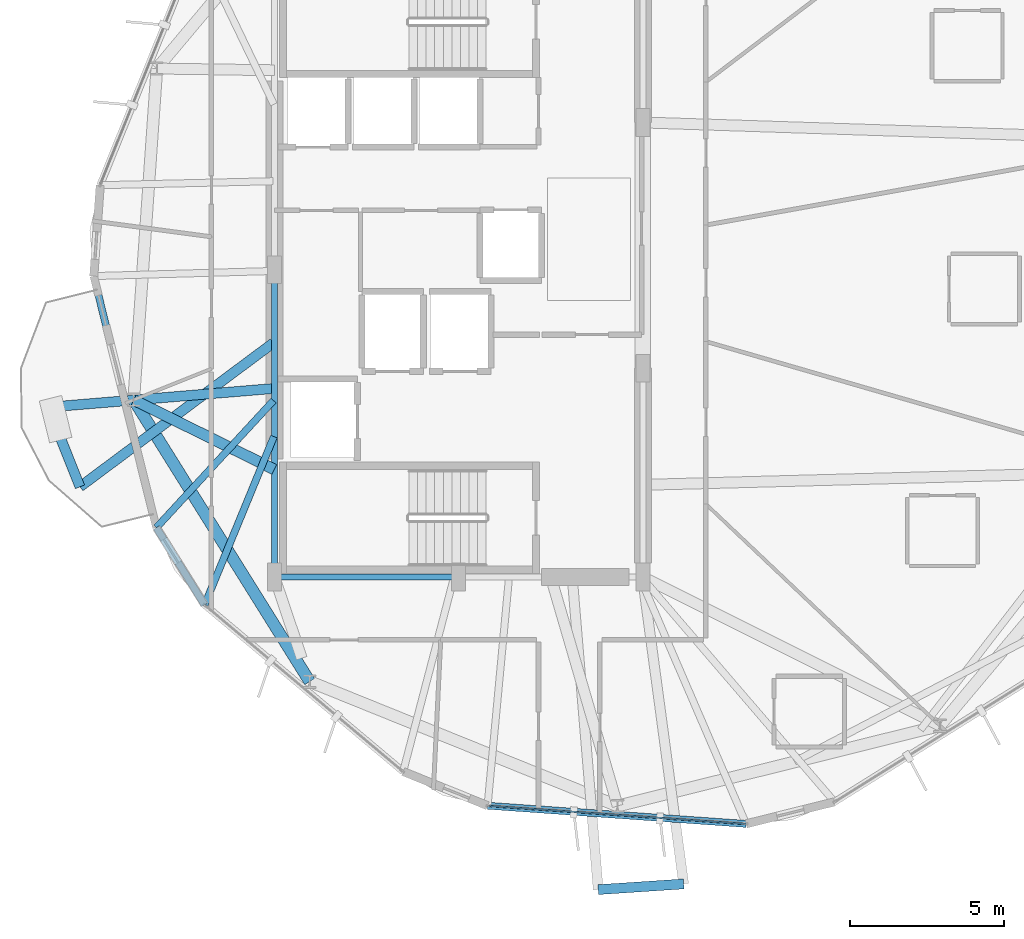
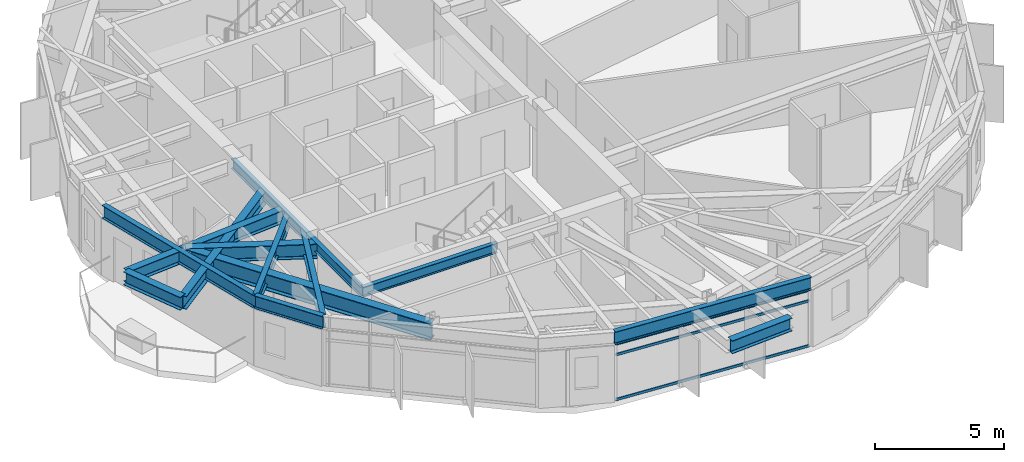
# One storey, part 3 of 22: 13 beams, 3 members, 1 element without a shape of its own.
"""IFC4 building model written with IfcOpenShell, lengths in metres."""

from ifc_helpers import new_model, si_unit, direction, frame, origin, origin_2d, place, context, subcontext, project, spatial, hollow_rectangle, i_section, extrude, material, layer, layer_set, material_profile, profile_set, type_object, element, aggregate, save


model = new_model("IFC4")

# Units and contexts
model_context = context("Model", 3, precision=1e-05, world=origin(), true_north=direction((0.0, 1.0)))
body_context = subcontext(model_context, "Body", "Model", "MODEL_VIEW")
ifc_project = project(units=[si_unit("LENGTHUNIT", "METRE"), si_unit("AREAUNIT", "SQUARE_METRE"), si_unit("VOLUMEUNIT", "CUBIC_METRE"), si_unit("PLANEANGLEUNIT", "RADIAN"), si_unit("MASSUNIT", "GRAM", prefix="KILO")], contexts=[model_context])

# Site, building, storey
site_placement = place(None, origin())
site = spatial("IfcSite", under=ifc_project, at=site_placement, CompositionType="ELEMENT")
building_placement = place(site_placement, origin())
building = spatial("IfcBuilding", under=site, at=building_placement, Name="Soratama Intermodal Tower", CompositionType="ELEMENT")
storey_placement = place(building_placement, frame((0.0, 0.0, 157.0)))
storey = spatial("IfcBuildingStorey", under=building, at=storey_placement, Name="L38", CompositionType="ELEMENT", Elevation=157.0)

# Beams
ifc_material_1 = material(Name="Structural steel ASTM A992 Grade 50", Category="steel")
ifc_material_profile_1 = material_profile(ifc_material_1, i_section(OverallWidth=0.324951171875, OverallDepth=0.615966796875, WebThickness=0.013916015625, FlangeThickness=0.021484375, FilletRadius=0.013916015625, at=origin_2d()), Name="W24X117")
ifc_profile_set_1 = profile_set([ifc_material_profile_1], Name="Structural steel ASTM A992 Grade 50")
beam_type_1 = type_object("IfcBeamType", Name="BM-CANT-W24X117", PredefinedType="BEAM", material=ifc_profile_set_1)
beam_1_placement = place(storey_placement, frame((25.235107421875, 20.529052734375, 2.991943359375), z_axis=(0.371104143002, -0.928591252946, 0.0), x_axis=(0.928591252946, 0.371104143002, 0.0)))
element("IfcBeam", 1, at=beam_1_placement, inside=storey, type_object=beam_type_1, Name="BM-L38-CBHDR-2", PredefinedType="BEAM", context=body_context, shape_type="SweptSolid", body=[
    extrude(i_section(OverallWidth=0.324951171875, OverallDepth=0.615966796875, WebThickness=0.013916015625, FlangeThickness=0.021484375, FilletRadius=0.013916015625, at=origin_2d()), origin(), (0.0, 0.0, 1.0), 2.791259765625),
])
beam_2_placement = place(storey_placement, frame((43.14501953125, 4.820068359375, 2.991943359375), z_axis=(0.997803703752, 0.066240235354, 0.0), x_axis=(-0.066240235354, 0.997803703752, 0.0)))
element("IfcBeam", 2, at=beam_2_placement, inside=storey, type_object=beam_type_1, Name="BM-L38-CBHDR-3", PredefinedType="BEAM", context=body_context, shape_type="SweptSolid", body=[
    extrude(i_section(OverallWidth=0.324951171875, OverallDepth=0.615966796875, WebThickness=0.013916015625, FlangeThickness=0.021484375, FilletRadius=0.013916015625, at=origin_2d()), origin(), (0.0, 0.0, 1.0), 2.7900390625),
])
beam_3_placement = place(storey_placement, frame((32.56005859375, 21.136962890625, 2.991943359375), z_axis=(-0.996573877054, -0.082707361059, 0.0), x_axis=(0.082707361059, -0.996573877054, 0.0)))
element("IfcBeam", 3, at=beam_3_placement, inside=storey, type_object=beam_type_1, Name="BM-L38-CANT-2-1", PredefinedType="BEAM", context=body_context, shape_type="SweptSolid", body=[
    extrude(i_section(OverallWidth=0.324951171875, OverallDepth=0.615966796875, WebThickness=0.013916015625, FlangeThickness=0.021484375, FilletRadius=0.013916015625, at=origin_2d()), origin(), (0.0, 0.0, 1.0), 7.35009765625),
])
beam_4_placement = place(storey_placement, frame((32.568115234375, 22.6240234375, 2.991943359375), z_axis=(-0.802185414471, -0.597075004343, 0.0), x_axis=(0.597075004343, -0.802185414471, 0.0)))
element("IfcBeam", 4, at=beam_4_placement, inside=storey, type_object=beam_type_1, Name="BM-L38-CANT-2-2", PredefinedType="BEAM", context=body_context, shape_type="SweptSolid", body=[
    extrude(i_section(OverallWidth=0.324951171875, OverallDepth=0.615966796875, WebThickness=0.013916015625, FlangeThickness=0.021484375, FilletRadius=0.013916015625, at=origin_2d()), origin(), (0.0, 0.0, 1.0), 7.849853515625),
])
ifc_material_2 = material(Name="Structural steel ASTM A992 Grade 50", Category="steel")
ifc_material_profile_2 = material_profile(ifc_material_2, i_section(OverallWidth=0.19091796875, OverallDepth=0.4599609375, WebThickness=0.010009765625, FlangeThickness=0.01611328125, FilletRadius=0.010986328125, at=origin_2d()), Name="W18X55")
ifc_profile_set_2 = profile_set([ifc_material_profile_2], Name="Structural steel ASTM A992 Grade 50")
beam_type_2 = type_object("IfcBeamType", Name="BM-FLR-W18X55", PredefinedType="BEAM", material=ifc_profile_set_2)
beam_5_placement = place(storey_placement, frame((32.60009765625, 15.0, 3.070068359375), z_axis=(1.0, 0.0, 0.0), x_axis=(0.0, 1.0, 0.0)))
element("IfcBeam", 5, at=beam_5_placement, inside=storey, type_object=beam_type_2, Name="BM-L38-CRING-01", PredefinedType="BEAM", context=body_context, shape_type="SweptSolid", body=[
    extrude(i_section(OverallWidth=0.19091796875, OverallDepth=0.4599609375, WebThickness=0.010009765625, FlangeThickness=0.01611328125, FilletRadius=0.010986328125, at=origin_2d()), origin(), (0.0, 0.0, 1.0), 6.0),
])
beam_6_placement = place(storey_placement, frame((32.60009765625, 25.0, 3.070068359375), z_axis=(0.0, -1.0, 0.0), x_axis=(1.0, 0.0, 0.0)))
element("IfcBeam", 6, at=beam_6_placement, inside=storey, type_object=beam_type_2, Name="BM-L38-CRING-09", PredefinedType="BEAM", context=body_context, shape_type="SweptSolid", body=[
    extrude(i_section(OverallWidth=0.19091796875, OverallDepth=0.4599609375, WebThickness=0.010009765625, FlangeThickness=0.01611328125, FilletRadius=0.010986328125, at=origin_2d()), origin(), (0.0, 0.0, 1.0), 10.0),
])
ifc_material_3 = material(Name="Structural steel ASTM A992 Grade 50", Category="steel")
ifc_material_profile_3 = material_profile(ifc_material_3, i_section(OverallWidth=0.35498046875, OverallDepth=0.695068359375, WebThickness=0.015380859375, FlangeThickness=0.02490234375, FilletRadius=0.01611328125, at=origin_2d()), Name="W27X146")
ifc_profile_set_3 = profile_set([ifc_material_profile_3], Name="Structural steel ASTM A992 Grade 50")
beam_type_3 = type_object("IfcBeamType", Name="BM-RING-W27X146", PredefinedType="BEAM", material=ifc_profile_set_3)
beam_7_placement = place(storey_placement, frame((32.60009765625, 18.5, 2.952392578125), z_axis=(-0.89629219718, 0.443463975172, 0.0), x_axis=(-0.443463975172, -0.89629219718, 0.0)))
element("IfcBeam", 7, at=beam_7_placement, inside=storey, type_object=beam_type_3, Name="BM-L38-RAD-06", PredefinedType="BEAM", context=body_context, shape_type="SweptSolid", body=[
    extrude(i_section(OverallWidth=0.35498046875, OverallDepth=0.695068359375, WebThickness=0.015380859375, FlangeThickness=0.02490234375, FilletRadius=0.01611328125, at=origin_2d()), origin(), (0.0, 0.0, 1.0), 5.110107421875),
])
ifc_material_4 = material(Name="Structural steel ASTM A992 Grade 50", Category="steel")
ifc_material_profile_4 = material_profile(ifc_material_4, i_section(OverallWidth=0.382080078125, OverallDepth=0.779052734375, WebThickness=0.01806640625, FlangeThickness=0.030029296875, FilletRadius=0.01806640625, at=origin_2d()), Name="W30X191")
ifc_profile_set_4 = profile_set([ifc_material_profile_4], Name="Structural steel ASTM A992 Grade 50")
beam_type_4 = type_object("IfcBeamType", Name="BM-RING-W30X191", PredefinedType="BEAM", material=ifc_profile_set_4)
beam_8_placement = place(storey_placement, frame((28.02001953125, 20.76611328125, 2.910400390625), z_axis=(0.529891394359, -0.84806551055, 0.0), x_axis=(0.84806551055, 0.529891394359, 0.0)))
element("IfcBeam", 8, at=beam_8_placement, inside=storey, type_object=beam_type_4, Name="BM-L38-RING-06", PredefinedType="BEAM", context=body_context, shape_type="SweptSolid", body=[
    extrude(i_section(OverallWidth=0.382080078125, OverallDepth=0.779052734375, WebThickness=0.01806640625, FlangeThickness=0.030029296875, FilletRadius=0.01806640625, at=origin_2d()), origin(), (0.0, 0.0, 1.0), 10.8154296875),
])
ifc_material_5 = material(Name="Structural steel ASTM A992 Grade 50", Category="steel")
ifc_material_profile_5 = material_profile(ifc_material_5, i_section(OverallWidth=0.22900390625, OverallDepth=0.612060546875, WebThickness=0.011962890625, FlangeThickness=0.01953125, FilletRadius=0.012939453125, at=origin_2d()), Name="W24X84")
ifc_profile_set_5 = profile_set([ifc_material_profile_5], Name="Structural steel ASTM A992 Grade 50")
beam_type_5 = type_object("IfcBeamType", Name="BM-SPN-W24X84", PredefinedType="SPANDREL", material=ifc_profile_set_5)
beam_9_placement = place(storey_placement, frame((26.718994140625, 24.798095703125, 2.993896484375), z_axis=(0.241562339429, -0.970385302944, 0.0), x_axis=(0.970385302944, 0.241562339429, 0.0)))
element("IfcBeam", 9, at=beam_9_placement, inside=storey, type_object=beam_type_5, Name="BS-L38-F05", PredefinedType="SPANDREL", context=body_context, shape_type="SweptSolid", body=[
    extrude(i_section(OverallWidth=0.22900390625, OverallDepth=0.612060546875, WebThickness=0.011962890625, FlangeThickness=0.01953125, FilletRadius=0.012939453125, at=origin_2d()), origin(), (0.0, 0.0, 1.0), 8.441162109375),
])
beam_10_placement = place(storey_placement, frame((28.758056640625, 16.60693359375, 2.993896484375), z_axis=(0.529665959131, -0.84820632616, 0.0), x_axis=(0.84820632616, 0.529665959131, 0.0)))
element("IfcBeam", 10, at=beam_10_placement, inside=storey, type_object=beam_type_5, Name="BS-L38-CRN05", PredefinedType="SPANDREL", context=body_context, shape_type="SweptSolid", body=[
    extrude(i_section(OverallWidth=0.22900390625, OverallDepth=0.612060546875, WebThickness=0.011962890625, FlangeThickness=0.01953125, FilletRadius=0.012939453125, at=origin_2d()), origin(), (0.0, 0.0, 1.0), 2.966064453125),
])
beam_11_placement = place(storey_placement, frame((39.54296875, 7.551025390625, 2.993896484375), z_axis=(0.9975370777, -0.070141133537, 0.0), x_axis=(0.070141133537, 0.9975370777, 0.0)))
element("IfcBeam", 11, at=beam_11_placement, inside=storey, type_object=beam_type_5, Name="BS-L38-F07", PredefinedType="SPANDREL", context=body_context, shape_type="SweptSolid", body=[
    extrude(i_section(OverallWidth=0.22900390625, OverallDepth=0.612060546875, WebThickness=0.011962890625, FlangeThickness=0.01953125, FilletRadius=0.012939453125, at=origin_2d()), origin(), (0.0, 0.0, 1.0), 8.440673828125),
])
ifc_material_6 = material(Name="Structural steel ASTM A992 Grade 50", Category="steel")
ifc_material_profile_6 = material_profile(ifc_material_6, i_section(OverallWidth=0.22900390625, OverallDepth=0.612060546875, WebThickness=0.011962890625, FlangeThickness=0.01953125, FilletRadius=0.012939453125, at=origin_2d()), Name="W24X84")
ifc_profile_set_6 = profile_set([ifc_material_profile_6], Name="Structural steel ASTM A992 Grade 50")
beam_type_6 = type_object("IfcBeamType", Name="BM-TIE-W24X84", PredefinedType="BEAM", material=ifc_profile_set_6)
beam_12_placement = place(storey_placement, frame((32.572998046875, 20.7451171875, 2.993896484375), z_axis=(-0.677807944158, -0.735239002527, 0.0), x_axis=(0.735239002527, -0.677807944158, 0.0)))
element("IfcBeam", 12, at=beam_12_placement, inside=storey, type_object=beam_type_6, Name="BM-L38-TIE1-05", PredefinedType="BEAM", context=body_context, shape_type="SweptSolid", body=[
    extrude(i_section(OverallWidth=0.22900390625, OverallDepth=0.612060546875, WebThickness=0.011962890625, FlangeThickness=0.01953125, FilletRadius=0.012939453125, at=origin_2d()), origin(), (0.0, 0.0, 1.0), 5.62841796875),
])
beam_13_placement = place(storey_placement, frame((32.5849609375, 19.572998046875, 2.993896484375), z_axis=(-0.380546796846, -0.924761664111, 0.0), x_axis=(0.924761664111, -0.380546796846, 0.0)))
element("IfcBeam", 13, at=beam_13_placement, inside=storey, type_object=beam_type_6, Name="BM-L38-TIE0-06", PredefinedType="BEAM", context=body_context, shape_type="SweptSolid", body=[
    extrude(i_section(OverallWidth=0.22900390625, OverallDepth=0.612060546875, WebThickness=0.011962890625, FlangeThickness=0.01953125, FilletRadius=0.012939453125, at=origin_2d()), origin(), (0.0, 0.0, 1.0), 5.927978515625),
])

# Curtain wall, members
ifc_material_7 = material(Name="Double-glazed aluminium curtain wall", Category="aluminium")
ifc_layer = layer(ifc_material_7, 0.159912109375)
ifc_layer_set = layer_set([ifc_layer], Name="Double-glazed aluminium curtain wall")
curtain_wall_type = type_object("IfcCurtainWallType", Name="CW-SYS-4", PredefinedType="NOTDEFINED", material=ifc_layer_set)
curtain_wall_placement = place(storey_placement, origin())
curtain_wall = element("IfcCurtainWall", 14, at=curtain_wall_placement, inside=storey, type_object=curtain_wall_type, Name="L38 Faceted Curtain Wall F07", PredefinedType="NOTDEFINED")
ifc_material_8 = material(Name="Anodised aluminium AA 6063-T6", Category="aluminium")
ifc_material_profile_7 = material_profile(ifc_material_8, hollow_rectangle(XDim=0.06005859375, YDim=0.1298828125, WallThickness=0.0048828125, InnerFilletRadius=0.0048828125, OuterFilletRadius=0.010009765625, at=origin_2d()), Name="CWT130X60X5")
ifc_profile_set_7 = profile_set([ifc_material_profile_7], Name="Anodised aluminium AA 6063-T6")
member_type = type_object("IfcMemberType", Name="TT-CWT-2", PredefinedType="USERDEFINED", material=ifc_profile_set_7)
member_1_placement = place(storey_placement, frame((39.60302734375, 7.546875, 0.030029296875), z_axis=(0.997539962159, -0.070100099117, 0.0), x_axis=(0.070100099117, 0.997539962159, 0.0)))
member_1 = element("IfcMember", 15, at=member_1_placement, type_object=member_type, Name="CW-4 transom 1.1", ObjectType="TRANSOM", PredefinedType="USERDEFINED", context=body_context, shape_type="SweptSolid", body=[
    extrude(hollow_rectangle(XDim=0.06005859375, YDim=0.1298828125, WallThickness=0.0048828125, InnerFilletRadius=0.0048828125, OuterFilletRadius=0.010009765625, at=origin_2d()), origin(), (0.0, 0.0, 1.0), 8.3203125),
])
member_2_placement = place(storey_placement, frame((39.60302734375, 7.546875, 2.14990234375), z_axis=(0.997539962159, -0.070100099117, 0.0), x_axis=(0.070100099117, 0.997539962159, 0.0)))
member_2 = element("IfcMember", 16, at=member_2_placement, type_object=member_type, Name="CW-4 transom 1.2", ObjectType="TRANSOM", PredefinedType="USERDEFINED", context=body_context, shape_type="SweptSolid", body=[
    extrude(hollow_rectangle(XDim=0.06005859375, YDim=0.1298828125, WallThickness=0.0048828125, InnerFilletRadius=0.0048828125, OuterFilletRadius=0.010009765625, at=origin_2d()), origin(), (0.0, 0.0, 1.0), 8.3203125),
])
member_3_placement = place(storey_placement, frame((39.60302734375, 7.546875, 2.64892578125), z_axis=(0.997539962159, -0.070100099117, 0.0), x_axis=(0.070100099117, 0.997539962159, 0.0)))
member_3 = element("IfcMember", 17, at=member_3_placement, type_object=member_type, Name="CW-4 transom 1.3", ObjectType="TRANSOM", PredefinedType="USERDEFINED", context=body_context, shape_type="SweptSolid", body=[
    extrude(hollow_rectangle(XDim=0.06005859375, YDim=0.1298828125, WallThickness=0.0048828125, InnerFilletRadius=0.0048828125, OuterFilletRadius=0.010009765625, at=origin_2d()), origin(), (0.0, 0.0, 1.0), 8.3203125),
])
aggregate(curtain_wall, [member_1, member_2, member_3])

save(model, "model.ifc")
